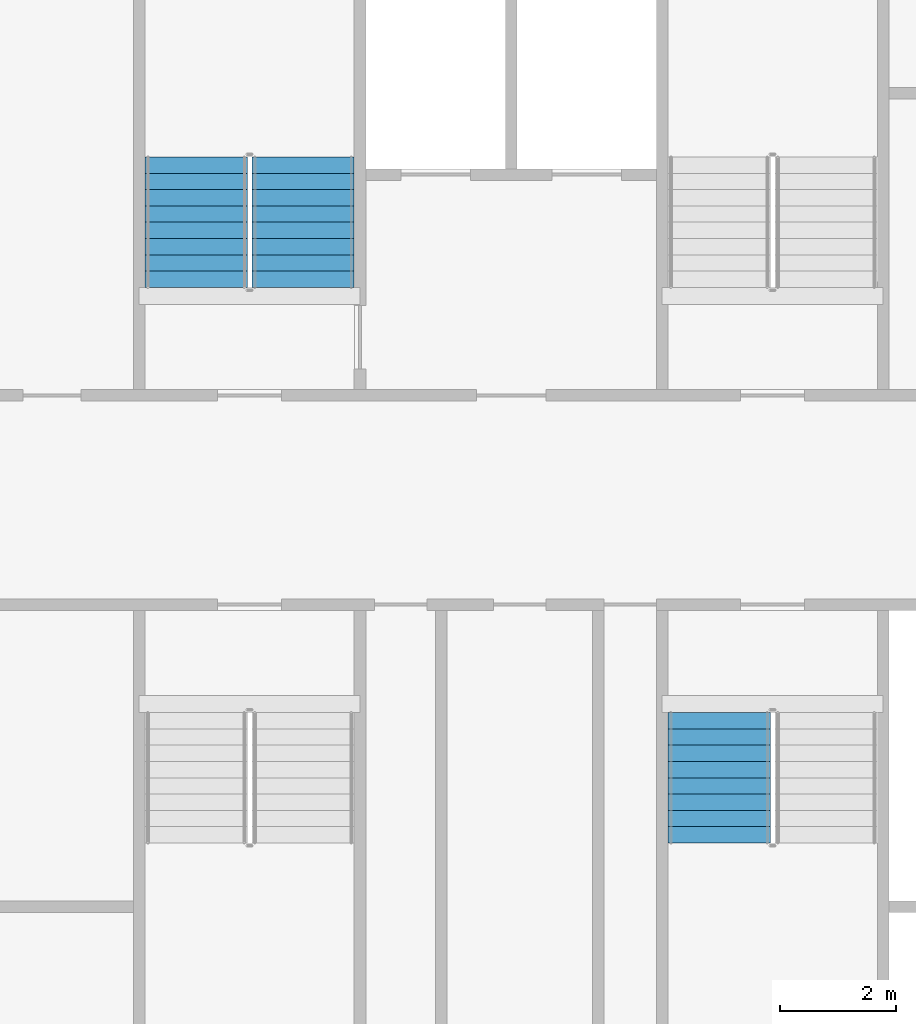
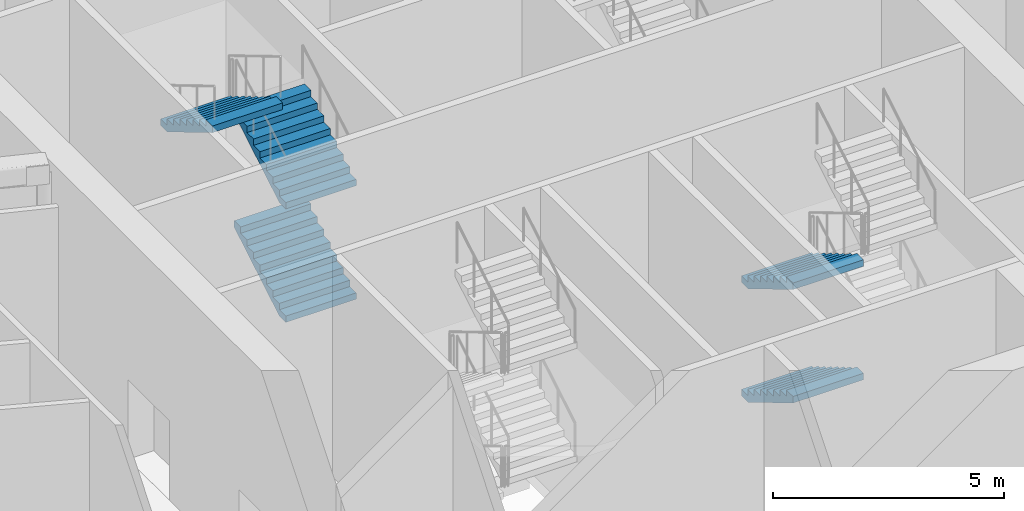
# One storey, part 28 of 36: 5 stair flights, 2 elements without a shape of their own.
"""IFC4 building model written with IfcOpenShell, lengths in metres."""

from ifc_helpers import new_model, si_unit, direction, frame, origin, place, context, subcontext, project, spatial, faceted_brep, material, type_object, element, aggregate, save


model = new_model("IFC4")

# Units and contexts
model_context = context("Model", 3, precision=1e-05, world=origin(), true_north=direction((0.0, 1.0)))
body_context = subcontext(model_context, "Body", "Model", "MODEL_VIEW")
ifc_project = project(units=[si_unit("LENGTHUNIT", "METRE"), si_unit("AREAUNIT", "SQUARE_METRE"), si_unit("VOLUMEUNIT", "CUBIC_METRE"), si_unit("PLANEANGLEUNIT", "RADIAN"), si_unit("MASSUNIT", "GRAM", prefix="KILO")], contexts=[model_context])

# Site, building, storey
site_placement = place(None, origin())
site = spatial("IfcSite", under=ifc_project, at=site_placement, CompositionType="ELEMENT")
building_placement = place(site_placement, origin())
building = spatial("IfcBuilding", under=site, at=building_placement, Name="Tarsis Ring Headquarters", CompositionType="ELEMENT")
storey_placement = place(building_placement, frame((0.0, 0.0, 194.39990234375)))
storey = spatial("IfcBuildingStorey", under=building, at=storey_placement, Name="L45", CompositionType="ELEMENT", Elevation=194.39990234375)

# Stair, stair flights
ifc_material_1 = material(Name="Core stair 1760")
stair_type = type_object("IfcStairType", Name="Core stair 1760", PredefinedType="HALF_TURN_STAIR", material=ifc_material_1)
stair_1_placement = place(storey_placement, origin())
stair_1 = element("IfcStair", 1, at=stair_1_placement, inside=storey, type_object=stair_type, Name="L45 Firefighting stair", PredefinedType="HALF_TURN_STAIR")
ifc_material_2 = material(Name="Concrete C40/50", Category="concrete")
stair_flight_type = type_object("IfcStairFlightType", Name="Core stair flight 1760", PredefinedType="STRAIGHT", material=ifc_material_2)
stair_flight_1_placement = place(storey_placement, frame((-3.580078125, 3.659912109375, 0.0), z_axis=(0.0, 0.0, 1.0), x_axis=(0.0, 1.0, 0.0)))
stair_flight_1 = element("IfcStairFlight", 2, at=stair_flight_1_placement, type_object=stair_flight_type, Name="Stair ST1 flight 1", NumberOfRisers=9, NumberOfTreads=8, PredefinedType="STRAIGHT", RiserHeight=0.166666667, TreadLength=0.28, context=body_context, shape_type="Brep", body=[
    faceted_brep([(0.0, 0.8798828125, 0.0), (0.0, 0.8798828125, 0.166748046875), (0.280029296875, 0.8798828125, 0.166748046875), (0.280029296875, 0.8798828125, 0.333251953125), (0.56005859375, 0.8798828125, 0.333251953125), (0.56005859375, 0.8798828125, 0.5), (0.840087890625, 0.8798828125, 0.5), (0.840087890625, 0.8798828125, 0.666748046875), (1.1201171875, 0.8798828125, 0.666748046875), (1.1201171875, 0.8798828125, 0.833251953125), (1.39990234375, 0.8798828125, 0.833251953125), (1.39990234375, 0.8798828125, 1.0), (1.679931640625, 0.8798828125, 1.0), (1.679931640625, 0.8798828125, 1.166748046875), (1.9599609375, 0.8798828125, 1.166748046875), (1.9599609375, 0.8798828125, 1.333251953125), (2.239990234375, 0.8798828125, 1.333251953125), (2.239990234375, 0.8798828125, 1.158935546875), (0.29296875, 0.8798828125, 0.0), (0.29296875, -0.8798828125, 0.0), (2.239990234375, -0.8798828125, 1.158935546875), (2.239990234375, -0.8798828125, 1.333251953125), (1.9599609375, -0.8798828125, 1.333251953125), (1.9599609375, -0.8798828125, 1.166748046875), (1.679931640625, -0.8798828125, 1.166748046875), (1.679931640625, -0.8798828125, 1.0), (1.39990234375, -0.8798828125, 1.0), (1.39990234375, -0.8798828125, 0.833251953125), (1.1201171875, -0.8798828125, 0.833251953125), (1.1201171875, -0.8798828125, 0.666748046875), (0.840087890625, -0.8798828125, 0.666748046875), (0.840087890625, -0.8798828125, 0.5), (0.56005859375, -0.8798828125, 0.5), (0.56005859375, -0.8798828125, 0.333251953125), (0.280029296875, -0.8798828125, 0.333251953125), (0.280029296875, -0.8798828125, 0.166748046875), (0.0, -0.8798828125, 0.166748046875), (0.0, -0.8798828125, 0.0), (0.0, -0.43994140625, 0.166748046875), (0.0, -0.43994140625, 0.0), (0.0, 0.0, 0.166748046875), (0.0, 0.0, 0.0), (0.0, 0.43994140625, 0.166748046875), (0.0, 0.43994140625, 0.0), (0.280029296875, -0.43994140625, 0.166748046875), (0.280029296875, 0.0, 0.166748046875), (0.280029296875, 0.43994140625, 0.166748046875), (0.280029296875, -0.43994140625, 0.333251953125), (0.280029296875, 0.0, 0.333251953125), (0.280029296875, 0.43994140625, 0.333251953125), (0.56005859375, -0.43994140625, 0.333251953125), (0.56005859375, 0.0, 0.333251953125), (0.56005859375, 0.43994140625, 0.333251953125), (0.56005859375, -0.43994140625, 0.5), (0.56005859375, 0.0, 0.5), (0.56005859375, 0.43994140625, 0.5), (0.840087890625, -0.43994140625, 0.5), (0.840087890625, 0.0, 0.5), (0.840087890625, 0.43994140625, 0.5), (0.840087890625, -0.43994140625, 0.666748046875), (0.840087890625, 0.0, 0.666748046875), (0.840087890625, 0.43994140625, 0.666748046875), (1.1201171875, -0.43994140625, 0.666748046875), (1.1201171875, 0.0, 0.666748046875), (1.1201171875, 0.43994140625, 0.666748046875), (1.1201171875, -0.43994140625, 0.833251953125), (1.1201171875, 0.0, 0.833251953125), (1.1201171875, 0.43994140625, 0.833251953125), (1.39990234375, -0.43994140625, 0.833251953125), (1.39990234375, 0.0, 0.833251953125), (1.39990234375, 0.43994140625, 0.833251953125), (1.39990234375, -0.43994140625, 1.0), (1.39990234375, 0.0, 1.0), (1.39990234375, 0.43994140625, 1.0), (1.679931640625, -0.43994140625, 1.0), (1.679931640625, 0.0, 1.0), (1.679931640625, 0.43994140625, 1.0), (1.679931640625, -0.43994140625, 1.166748046875), (1.679931640625, 0.0, 1.166748046875), (1.679931640625, 0.43994140625, 1.166748046875), (1.9599609375, -0.43994140625, 1.166748046875), (1.9599609375, 0.0, 1.166748046875), (1.9599609375, 0.43994140625, 1.166748046875), (1.9599609375, -0.43994140625, 1.333251953125), (1.9599609375, 0.0, 1.333251953125), (1.9599609375, 0.43994140625, 1.333251953125), (2.239990234375, -0.43994140625, 1.333251953125), (2.239990234375, 0.0, 1.333251953125), (2.239990234375, 0.43994140625, 1.333251953125), (2.239990234375, -0.43994140625, 1.158935546875), (2.239990234375, 0.0, 1.158935546875), (2.239990234375, 0.43994140625, 1.158935546875), (0.29296875, -0.43994140625, 0.0), (0.29296875, 0.0, 0.0), (0.29296875, 0.43994140625, 0.0)], [[[0, 1, 2, 3, 4, 5, 6, 7, 8, 9, 10, 11, 12, 13, 14, 15, 16, 17, 18]], [[19, 20, 21, 22, 23, 24, 25, 26, 27, 28, 29, 30, 31, 32, 33, 34, 35, 36, 37]], [[37, 36, 38, 39]], [[39, 38, 40, 41]], [[41, 40, 42, 43]], [[43, 42, 1, 0]], [[36, 35, 44, 38]], [[38, 44, 45, 40]], [[40, 45, 46, 42]], [[42, 46, 2, 1]], [[35, 34, 47, 44]], [[44, 47, 48, 45]], [[45, 48, 49, 46]], [[46, 49, 3, 2]], [[34, 33, 50, 47]], [[47, 50, 51, 48]], [[48, 51, 52, 49]], [[49, 52, 4, 3]], [[33, 32, 53, 50]], [[50, 53, 54, 51]], [[51, 54, 55, 52]], [[52, 55, 5, 4]], [[32, 31, 56, 53]], [[53, 56, 57, 54]], [[54, 57, 58, 55]], [[55, 58, 6, 5]], [[31, 30, 59, 56]], [[56, 59, 60, 57]], [[57, 60, 61, 58]], [[58, 61, 7, 6]], [[30, 29, 62, 59]], [[59, 62, 63, 60]], [[60, 63, 64, 61]], [[61, 64, 8, 7]], [[29, 28, 65, 62]], [[62, 65, 66, 63]], [[63, 66, 67, 64]], [[64, 67, 9, 8]], [[28, 27, 68, 65]], [[65, 68, 69, 66]], [[66, 69, 70, 67]], [[67, 70, 10, 9]], [[27, 26, 71, 68]], [[68, 71, 72, 69]], [[69, 72, 73, 70]], [[70, 73, 11, 10]], [[26, 25, 74, 71]], [[71, 74, 75, 72]], [[72, 75, 76, 73]], [[73, 76, 12, 11]], [[25, 24, 77, 74]], [[74, 77, 78, 75]], [[75, 78, 79, 76]], [[76, 79, 13, 12]], [[24, 23, 80, 77]], [[77, 80, 81, 78]], [[78, 81, 82, 79]], [[79, 82, 14, 13]], [[23, 22, 83, 80]], [[80, 83, 84, 81]], [[81, 84, 85, 82]], [[82, 85, 15, 14]], [[22, 21, 86, 83]], [[83, 86, 87, 84]], [[84, 87, 88, 85]], [[85, 88, 16, 15]], [[21, 20, 89, 86]], [[86, 89, 90, 87]], [[87, 90, 91, 88]], [[88, 91, 17, 16]], [[20, 19, 92, 89]], [[89, 92, 93, 90]], [[90, 93, 94, 91]], [[91, 94, 18, 17]], [[19, 37, 39, 92]], [[92, 39, 41, 93]], [[93, 41, 43, 94]], [[94, 43, 0, 18]]]),
])
stair_flight_2_placement = place(storey_placement, frame((-3.580078125, 3.659912109375, 3.0), z_axis=(0.0, 0.0, 1.0), x_axis=(0.0, 1.0, 0.0)))
stair_flight_2 = element("IfcStairFlight", 3, at=stair_flight_2_placement, type_object=stair_flight_type, Name="Stair ST1 flight 3", NumberOfRisers=9, NumberOfTreads=8, PredefinedType="STRAIGHT", RiserHeight=0.166666667, TreadLength=0.28, context=body_context, shape_type="Brep", body=[
    faceted_brep([(0.0, 0.8798828125, 0.0), (0.0, 0.8798828125, 0.166748046875), (0.280029296875, 0.8798828125, 0.166748046875), (0.280029296875, 0.8798828125, 0.333251953125), (0.56005859375, 0.8798828125, 0.333251953125), (0.56005859375, 0.8798828125, 0.5), (0.840087890625, 0.8798828125, 0.5), (0.840087890625, 0.8798828125, 0.666748046875), (1.1201171875, 0.8798828125, 0.666748046875), (1.1201171875, 0.8798828125, 0.833251953125), (1.39990234375, 0.8798828125, 0.833251953125), (1.39990234375, 0.8798828125, 1.0), (1.679931640625, 0.8798828125, 1.0), (1.679931640625, 0.8798828125, 1.166748046875), (1.9599609375, 0.8798828125, 1.166748046875), (1.9599609375, 0.8798828125, 1.333251953125), (2.239990234375, 0.8798828125, 1.333251953125), (2.239990234375, 0.8798828125, 1.158935546875), (0.29296875, 0.8798828125, 0.0), (0.29296875, -0.8798828125, 0.0), (2.239990234375, -0.8798828125, 1.158935546875), (2.239990234375, -0.8798828125, 1.333251953125), (1.9599609375, -0.8798828125, 1.333251953125), (1.9599609375, -0.8798828125, 1.166748046875), (1.679931640625, -0.8798828125, 1.166748046875), (1.679931640625, -0.8798828125, 1.0), (1.39990234375, -0.8798828125, 1.0), (1.39990234375, -0.8798828125, 0.833251953125), (1.1201171875, -0.8798828125, 0.833251953125), (1.1201171875, -0.8798828125, 0.666748046875), (0.840087890625, -0.8798828125, 0.666748046875), (0.840087890625, -0.8798828125, 0.5), (0.56005859375, -0.8798828125, 0.5), (0.56005859375, -0.8798828125, 0.333251953125), (0.280029296875, -0.8798828125, 0.333251953125), (0.280029296875, -0.8798828125, 0.166748046875), (0.0, -0.8798828125, 0.166748046875), (0.0, -0.8798828125, 0.0), (0.0, -0.43994140625, 0.166748046875), (0.0, -0.43994140625, 0.0), (0.0, 0.0, 0.166748046875), (0.0, 0.0, 0.0), (0.0, 0.43994140625, 0.166748046875), (0.0, 0.43994140625, 0.0), (0.280029296875, -0.43994140625, 0.166748046875), (0.280029296875, 0.0, 0.166748046875), (0.280029296875, 0.43994140625, 0.166748046875), (0.280029296875, -0.43994140625, 0.333251953125), (0.280029296875, 0.0, 0.333251953125), (0.280029296875, 0.43994140625, 0.333251953125), (0.56005859375, -0.43994140625, 0.333251953125), (0.56005859375, 0.0, 0.333251953125), (0.56005859375, 0.43994140625, 0.333251953125), (0.56005859375, -0.43994140625, 0.5), (0.56005859375, 0.0, 0.5), (0.56005859375, 0.43994140625, 0.5), (0.840087890625, -0.43994140625, 0.5), (0.840087890625, 0.0, 0.5), (0.840087890625, 0.43994140625, 0.5), (0.840087890625, -0.43994140625, 0.666748046875), (0.840087890625, 0.0, 0.666748046875), (0.840087890625, 0.43994140625, 0.666748046875), (1.1201171875, -0.43994140625, 0.666748046875), (1.1201171875, 0.0, 0.666748046875), (1.1201171875, 0.43994140625, 0.666748046875), (1.1201171875, -0.43994140625, 0.833251953125), (1.1201171875, 0.0, 0.833251953125), (1.1201171875, 0.43994140625, 0.833251953125), (1.39990234375, -0.43994140625, 0.833251953125), (1.39990234375, 0.0, 0.833251953125), (1.39990234375, 0.43994140625, 0.833251953125), (1.39990234375, -0.43994140625, 1.0), (1.39990234375, 0.0, 1.0), (1.39990234375, 0.43994140625, 1.0), (1.679931640625, -0.43994140625, 1.0), (1.679931640625, 0.0, 1.0), (1.679931640625, 0.43994140625, 1.0), (1.679931640625, -0.43994140625, 1.166748046875), (1.679931640625, 0.0, 1.166748046875), (1.679931640625, 0.43994140625, 1.166748046875), (1.9599609375, -0.43994140625, 1.166748046875), (1.9599609375, 0.0, 1.166748046875), (1.9599609375, 0.43994140625, 1.166748046875), (1.9599609375, -0.43994140625, 1.333251953125), (1.9599609375, 0.0, 1.333251953125), (1.9599609375, 0.43994140625, 1.333251953125), (2.239990234375, -0.43994140625, 1.333251953125), (2.239990234375, 0.0, 1.333251953125), (2.239990234375, 0.43994140625, 1.333251953125), (2.239990234375, -0.43994140625, 1.158935546875), (2.239990234375, 0.0, 1.158935546875), (2.239990234375, 0.43994140625, 1.158935546875), (0.29296875, -0.43994140625, 0.0), (0.29296875, 0.0, 0.0), (0.29296875, 0.43994140625, 0.0)], [[[0, 1, 2, 3, 4, 5, 6, 7, 8, 9, 10, 11, 12, 13, 14, 15, 16, 17, 18]], [[19, 20, 21, 22, 23, 24, 25, 26, 27, 28, 29, 30, 31, 32, 33, 34, 35, 36, 37]], [[37, 36, 38, 39]], [[39, 38, 40, 41]], [[41, 40, 42, 43]], [[43, 42, 1, 0]], [[36, 35, 44, 38]], [[38, 44, 45, 40]], [[40, 45, 46, 42]], [[42, 46, 2, 1]], [[35, 34, 47, 44]], [[44, 47, 48, 45]], [[45, 48, 49, 46]], [[46, 49, 3, 2]], [[34, 33, 50, 47]], [[47, 50, 51, 48]], [[48, 51, 52, 49]], [[49, 52, 4, 3]], [[33, 32, 53, 50]], [[50, 53, 54, 51]], [[51, 54, 55, 52]], [[52, 55, 5, 4]], [[32, 31, 56, 53]], [[53, 56, 57, 54]], [[54, 57, 58, 55]], [[55, 58, 6, 5]], [[31, 30, 59, 56]], [[56, 59, 60, 57]], [[57, 60, 61, 58]], [[58, 61, 7, 6]], [[30, 29, 62, 59]], [[59, 62, 63, 60]], [[60, 63, 64, 61]], [[61, 64, 8, 7]], [[29, 28, 65, 62]], [[62, 65, 66, 63]], [[63, 66, 67, 64]], [[64, 67, 9, 8]], [[28, 27, 68, 65]], [[65, 68, 69, 66]], [[66, 69, 70, 67]], [[67, 70, 10, 9]], [[27, 26, 71, 68]], [[68, 71, 72, 69]], [[69, 72, 73, 70]], [[70, 73, 11, 10]], [[26, 25, 74, 71]], [[71, 74, 75, 72]], [[72, 75, 76, 73]], [[73, 76, 12, 11]], [[25, 24, 77, 74]], [[74, 77, 78, 75]], [[75, 78, 79, 76]], [[76, 79, 13, 12]], [[24, 23, 80, 77]], [[77, 80, 81, 78]], [[78, 81, 82, 79]], [[79, 82, 14, 13]], [[23, 22, 83, 80]], [[80, 83, 84, 81]], [[81, 84, 85, 82]], [[82, 85, 15, 14]], [[22, 21, 86, 83]], [[83, 86, 87, 84]], [[84, 87, 88, 85]], [[85, 88, 16, 15]], [[21, 20, 89, 86]], [[86, 89, 90, 87]], [[87, 90, 91, 88]], [[88, 91, 17, 16]], [[20, 19, 92, 89]], [[89, 92, 93, 90]], [[90, 93, 94, 91]], [[91, 94, 18, 17]], [[19, 37, 39, 92]], [[92, 39, 41, 93]], [[93, 41, 43, 94]], [[94, 43, 0, 18]]]),
])
stair_flight_3_placement = place(storey_placement, frame((-5.419921875, 5.89990234375, 4.5), z_axis=(0.0, 0.0, 1.0), x_axis=(0.0, -1.0, 0.0)))
stair_flight_3 = element("IfcStairFlight", 4, at=stair_flight_3_placement, type_object=stair_flight_type, Name="Stair ST1 flight 4", NumberOfRisers=9, NumberOfTreads=8, PredefinedType="STRAIGHT", RiserHeight=0.166666667, TreadLength=0.28, context=body_context, shape_type="Brep", body=[
    faceted_brep([(0.0, 0.8798828125, 0.0), (0.0, 0.8798828125, 0.166748046875), (0.280029296875, 0.8798828125, 0.166748046875), (0.280029296875, 0.8798828125, 0.333251953125), (0.56005859375, 0.8798828125, 0.333251953125), (0.56005859375, 0.8798828125, 0.5), (0.840087890625, 0.8798828125, 0.5), (0.840087890625, 0.8798828125, 0.666748046875), (1.1201171875, 0.8798828125, 0.666748046875), (1.1201171875, 0.8798828125, 0.833251953125), (1.39990234375, 0.8798828125, 0.833251953125), (1.39990234375, 0.8798828125, 1.0), (1.679931640625, 0.8798828125, 1.0), (1.679931640625, 0.8798828125, 1.166748046875), (1.9599609375, 0.8798828125, 1.166748046875), (1.9599609375, 0.8798828125, 1.333251953125), (2.239990234375, 0.8798828125, 1.333251953125), (2.239990234375, 0.8798828125, 1.158935546875), (0.29296875, 0.8798828125, 0.0), (0.29296875, -0.8798828125, 0.0), (2.239990234375, -0.8798828125, 1.158935546875), (2.239990234375, -0.8798828125, 1.333251953125), (1.9599609375, -0.8798828125, 1.333251953125), (1.9599609375, -0.8798828125, 1.166748046875), (1.679931640625, -0.8798828125, 1.166748046875), (1.679931640625, -0.8798828125, 1.0), (1.39990234375, -0.8798828125, 1.0), (1.39990234375, -0.8798828125, 0.833251953125), (1.1201171875, -0.8798828125, 0.833251953125), (1.1201171875, -0.8798828125, 0.666748046875), (0.840087890625, -0.8798828125, 0.666748046875), (0.840087890625, -0.8798828125, 0.5), (0.56005859375, -0.8798828125, 0.5), (0.56005859375, -0.8798828125, 0.333251953125), (0.280029296875, -0.8798828125, 0.333251953125), (0.280029296875, -0.8798828125, 0.166748046875), (0.0, -0.8798828125, 0.166748046875), (0.0, -0.8798828125, 0.0), (0.0, -0.43994140625, 0.166748046875), (0.0, -0.43994140625, 0.0), (0.0, 0.0, 0.166748046875), (0.0, 0.0, 0.0), (0.0, 0.43994140625, 0.166748046875), (0.0, 0.43994140625, 0.0), (0.280029296875, -0.43994140625, 0.166748046875), (0.280029296875, 0.0, 0.166748046875), (0.280029296875, 0.43994140625, 0.166748046875), (0.280029296875, -0.43994140625, 0.333251953125), (0.280029296875, 0.0, 0.333251953125), (0.280029296875, 0.43994140625, 0.333251953125), (0.56005859375, -0.43994140625, 0.333251953125), (0.56005859375, 0.0, 0.333251953125), (0.56005859375, 0.43994140625, 0.333251953125), (0.56005859375, -0.43994140625, 0.5), (0.56005859375, 0.0, 0.5), (0.56005859375, 0.43994140625, 0.5), (0.840087890625, -0.43994140625, 0.5), (0.840087890625, 0.0, 0.5), (0.840087890625, 0.43994140625, 0.5), (0.840087890625, -0.43994140625, 0.666748046875), (0.840087890625, 0.0, 0.666748046875), (0.840087890625, 0.43994140625, 0.666748046875), (1.1201171875, -0.43994140625, 0.666748046875), (1.1201171875, 0.0, 0.666748046875), (1.1201171875, 0.43994140625, 0.666748046875), (1.1201171875, -0.43994140625, 0.833251953125), (1.1201171875, 0.0, 0.833251953125), (1.1201171875, 0.43994140625, 0.833251953125), (1.39990234375, -0.43994140625, 0.833251953125), (1.39990234375, 0.0, 0.833251953125), (1.39990234375, 0.43994140625, 0.833251953125), (1.39990234375, -0.43994140625, 1.0), (1.39990234375, 0.0, 1.0), (1.39990234375, 0.43994140625, 1.0), (1.679931640625, -0.43994140625, 1.0), (1.679931640625, 0.0, 1.0), (1.679931640625, 0.43994140625, 1.0), (1.679931640625, -0.43994140625, 1.166748046875), (1.679931640625, 0.0, 1.166748046875), (1.679931640625, 0.43994140625, 1.166748046875), (1.9599609375, -0.43994140625, 1.166748046875), (1.9599609375, 0.0, 1.166748046875), (1.9599609375, 0.43994140625, 1.166748046875), (1.9599609375, -0.43994140625, 1.333251953125), (1.9599609375, 0.0, 1.333251953125), (1.9599609375, 0.43994140625, 1.333251953125), (2.239990234375, -0.43994140625, 1.333251953125), (2.239990234375, 0.0, 1.333251953125), (2.239990234375, 0.43994140625, 1.333251953125), (2.239990234375, -0.43994140625, 1.158935546875), (2.239990234375, 0.0, 1.158935546875), (2.239990234375, 0.43994140625, 1.158935546875), (0.29296875, -0.43994140625, 0.0), (0.29296875, 0.0, 0.0), (0.29296875, 0.43994140625, 0.0)], [[[0, 1, 2, 3, 4, 5, 6, 7, 8, 9, 10, 11, 12, 13, 14, 15, 16, 17, 18]], [[19, 20, 21, 22, 23, 24, 25, 26, 27, 28, 29, 30, 31, 32, 33, 34, 35, 36, 37]], [[37, 36, 38, 39]], [[39, 38, 40, 41]], [[41, 40, 42, 43]], [[43, 42, 1, 0]], [[36, 35, 44, 38]], [[38, 44, 45, 40]], [[40, 45, 46, 42]], [[42, 46, 2, 1]], [[35, 34, 47, 44]], [[44, 47, 48, 45]], [[45, 48, 49, 46]], [[46, 49, 3, 2]], [[34, 33, 50, 47]], [[47, 50, 51, 48]], [[48, 51, 52, 49]], [[49, 52, 4, 3]], [[33, 32, 53, 50]], [[50, 53, 54, 51]], [[51, 54, 55, 52]], [[52, 55, 5, 4]], [[32, 31, 56, 53]], [[53, 56, 57, 54]], [[54, 57, 58, 55]], [[55, 58, 6, 5]], [[31, 30, 59, 56]], [[56, 59, 60, 57]], [[57, 60, 61, 58]], [[58, 61, 7, 6]], [[30, 29, 62, 59]], [[59, 62, 63, 60]], [[60, 63, 64, 61]], [[61, 64, 8, 7]], [[29, 28, 65, 62]], [[62, 65, 66, 63]], [[63, 66, 67, 64]], [[64, 67, 9, 8]], [[28, 27, 68, 65]], [[65, 68, 69, 66]], [[66, 69, 70, 67]], [[67, 70, 10, 9]], [[27, 26, 71, 68]], [[68, 71, 72, 69]], [[69, 72, 73, 70]], [[70, 73, 11, 10]], [[26, 25, 74, 71]], [[71, 74, 75, 72]], [[72, 75, 76, 73]], [[73, 76, 12, 11]], [[25, 24, 77, 74]], [[74, 77, 78, 75]], [[75, 78, 79, 76]], [[76, 79, 13, 12]], [[24, 23, 80, 77]], [[77, 80, 81, 78]], [[78, 81, 82, 79]], [[79, 82, 14, 13]], [[23, 22, 83, 80]], [[80, 83, 84, 81]], [[81, 84, 85, 82]], [[82, 85, 15, 14]], [[22, 21, 86, 83]], [[83, 86, 87, 84]], [[84, 87, 88, 85]], [[85, 88, 16, 15]], [[21, 20, 89, 86]], [[86, 89, 90, 87]], [[87, 90, 91, 88]], [[88, 91, 17, 16]], [[20, 19, 92, 89]], [[89, 92, 93, 90]], [[90, 93, 94, 91]], [[91, 94, 18, 17]], [[19, 37, 39, 92]], [[92, 39, 41, 93]], [[93, 41, 43, 94]], [[94, 43, 0, 18]]]),
])
aggregate(stair_1, [stair_flight_1, stair_flight_2, stair_flight_3])

stair_2_placement = place(storey_placement, origin())
stair_2 = element("IfcStair", 5, at=stair_2_placement, inside=storey, type_object=stair_type, Name="L45 Exit stair D", PredefinedType="HALF_TURN_STAIR")
stair_flight_4_placement = place(storey_placement, frame((3.580078125, -3.659912109375, 0.0), z_axis=(0.0, 0.0, 1.0), x_axis=(0.0, -1.0, 0.0)))
stair_flight_4 = element("IfcStairFlight", 6, at=stair_flight_4_placement, type_object=stair_flight_type, Name="Stair ST4 flight 1", NumberOfRisers=9, NumberOfTreads=8, PredefinedType="STRAIGHT", RiserHeight=0.166666667, TreadLength=0.28, context=body_context, shape_type="Brep", body=[
    faceted_brep([(0.0, 0.8798828125, 0.0), (0.0, 0.8798828125, 0.166748046875), (0.280029296875, 0.8798828125, 0.166748046875), (0.280029296875, 0.8798828125, 0.333251953125), (0.56005859375, 0.8798828125, 0.333251953125), (0.56005859375, 0.8798828125, 0.5), (0.840087890625, 0.8798828125, 0.5), (0.840087890625, 0.8798828125, 0.666748046875), (1.1201171875, 0.8798828125, 0.666748046875), (1.1201171875, 0.8798828125, 0.833251953125), (1.39990234375, 0.8798828125, 0.833251953125), (1.39990234375, 0.8798828125, 1.0), (1.679931640625, 0.8798828125, 1.0), (1.679931640625, 0.8798828125, 1.166748046875), (1.9599609375, 0.8798828125, 1.166748046875), (1.9599609375, 0.8798828125, 1.333251953125), (2.239990234375, 0.8798828125, 1.333251953125), (2.239990234375, 0.8798828125, 1.158935546875), (0.29296875, 0.8798828125, 0.0), (0.29296875, -0.8798828125, 0.0), (2.239990234375, -0.8798828125, 1.158935546875), (2.239990234375, -0.8798828125, 1.333251953125), (1.9599609375, -0.8798828125, 1.333251953125), (1.9599609375, -0.8798828125, 1.166748046875), (1.679931640625, -0.8798828125, 1.166748046875), (1.679931640625, -0.8798828125, 1.0), (1.39990234375, -0.8798828125, 1.0), (1.39990234375, -0.8798828125, 0.833251953125), (1.1201171875, -0.8798828125, 0.833251953125), (1.1201171875, -0.8798828125, 0.666748046875), (0.840087890625, -0.8798828125, 0.666748046875), (0.840087890625, -0.8798828125, 0.5), (0.56005859375, -0.8798828125, 0.5), (0.56005859375, -0.8798828125, 0.333251953125), (0.280029296875, -0.8798828125, 0.333251953125), (0.280029296875, -0.8798828125, 0.166748046875), (0.0, -0.8798828125, 0.166748046875), (0.0, -0.8798828125, 0.0), (0.0, -0.43994140625, 0.166748046875), (0.0, -0.43994140625, 0.0), (0.0, 0.0, 0.166748046875), (0.0, 0.0, 0.0), (0.0, 0.43994140625, 0.166748046875), (0.0, 0.43994140625, 0.0), (0.280029296875, -0.43994140625, 0.166748046875), (0.280029296875, 0.0, 0.166748046875), (0.280029296875, 0.43994140625, 0.166748046875), (0.280029296875, -0.43994140625, 0.333251953125), (0.280029296875, 0.0, 0.333251953125), (0.280029296875, 0.43994140625, 0.333251953125), (0.56005859375, -0.43994140625, 0.333251953125), (0.56005859375, 0.0, 0.333251953125), (0.56005859375, 0.43994140625, 0.333251953125), (0.56005859375, -0.43994140625, 0.5), (0.56005859375, 0.0, 0.5), (0.56005859375, 0.43994140625, 0.5), (0.840087890625, -0.43994140625, 0.5), (0.840087890625, 0.0, 0.5), (0.840087890625, 0.43994140625, 0.5), (0.840087890625, -0.43994140625, 0.666748046875), (0.840087890625, 0.0, 0.666748046875), (0.840087890625, 0.43994140625, 0.666748046875), (1.1201171875, -0.43994140625, 0.666748046875), (1.1201171875, 0.0, 0.666748046875), (1.1201171875, 0.43994140625, 0.666748046875), (1.1201171875, -0.43994140625, 0.833251953125), (1.1201171875, 0.0, 0.833251953125), (1.1201171875, 0.43994140625, 0.833251953125), (1.39990234375, -0.43994140625, 0.833251953125), (1.39990234375, 0.0, 0.833251953125), (1.39990234375, 0.43994140625, 0.833251953125), (1.39990234375, -0.43994140625, 1.0), (1.39990234375, 0.0, 1.0), (1.39990234375, 0.43994140625, 1.0), (1.679931640625, -0.43994140625, 1.0), (1.679931640625, 0.0, 1.0), (1.679931640625, 0.43994140625, 1.0), (1.679931640625, -0.43994140625, 1.166748046875), (1.679931640625, 0.0, 1.166748046875), (1.679931640625, 0.43994140625, 1.166748046875), (1.9599609375, -0.43994140625, 1.166748046875), (1.9599609375, 0.0, 1.166748046875), (1.9599609375, 0.43994140625, 1.166748046875), (1.9599609375, -0.43994140625, 1.333251953125), (1.9599609375, 0.0, 1.333251953125), (1.9599609375, 0.43994140625, 1.333251953125), (2.239990234375, -0.43994140625, 1.333251953125), (2.239990234375, 0.0, 1.333251953125), (2.239990234375, 0.43994140625, 1.333251953125), (2.239990234375, -0.43994140625, 1.158935546875), (2.239990234375, 0.0, 1.158935546875), (2.239990234375, 0.43994140625, 1.158935546875), (0.29296875, -0.43994140625, 0.0), (0.29296875, 0.0, 0.0), (0.29296875, 0.43994140625, 0.0)], [[[0, 1, 2, 3, 4, 5, 6, 7, 8, 9, 10, 11, 12, 13, 14, 15, 16, 17, 18]], [[19, 20, 21, 22, 23, 24, 25, 26, 27, 28, 29, 30, 31, 32, 33, 34, 35, 36, 37]], [[37, 36, 38, 39]], [[39, 38, 40, 41]], [[41, 40, 42, 43]], [[43, 42, 1, 0]], [[36, 35, 44, 38]], [[38, 44, 45, 40]], [[40, 45, 46, 42]], [[42, 46, 2, 1]], [[35, 34, 47, 44]], [[44, 47, 48, 45]], [[45, 48, 49, 46]], [[46, 49, 3, 2]], [[34, 33, 50, 47]], [[47, 50, 51, 48]], [[48, 51, 52, 49]], [[49, 52, 4, 3]], [[33, 32, 53, 50]], [[50, 53, 54, 51]], [[51, 54, 55, 52]], [[52, 55, 5, 4]], [[32, 31, 56, 53]], [[53, 56, 57, 54]], [[54, 57, 58, 55]], [[55, 58, 6, 5]], [[31, 30, 59, 56]], [[56, 59, 60, 57]], [[57, 60, 61, 58]], [[58, 61, 7, 6]], [[30, 29, 62, 59]], [[59, 62, 63, 60]], [[60, 63, 64, 61]], [[61, 64, 8, 7]], [[29, 28, 65, 62]], [[62, 65, 66, 63]], [[63, 66, 67, 64]], [[64, 67, 9, 8]], [[28, 27, 68, 65]], [[65, 68, 69, 66]], [[66, 69, 70, 67]], [[67, 70, 10, 9]], [[27, 26, 71, 68]], [[68, 71, 72, 69]], [[69, 72, 73, 70]], [[70, 73, 11, 10]], [[26, 25, 74, 71]], [[71, 74, 75, 72]], [[72, 75, 76, 73]], [[73, 76, 12, 11]], [[25, 24, 77, 74]], [[74, 77, 78, 75]], [[75, 78, 79, 76]], [[76, 79, 13, 12]], [[24, 23, 80, 77]], [[77, 80, 81, 78]], [[78, 81, 82, 79]], [[79, 82, 14, 13]], [[23, 22, 83, 80]], [[80, 83, 84, 81]], [[81, 84, 85, 82]], [[82, 85, 15, 14]], [[22, 21, 86, 83]], [[83, 86, 87, 84]], [[84, 87, 88, 85]], [[85, 88, 16, 15]], [[21, 20, 89, 86]], [[86, 89, 90, 87]], [[87, 90, 91, 88]], [[88, 91, 17, 16]], [[20, 19, 92, 89]], [[89, 92, 93, 90]], [[90, 93, 94, 91]], [[91, 94, 18, 17]], [[19, 37, 39, 92]], [[92, 39, 41, 93]], [[93, 41, 43, 94]], [[94, 43, 0, 18]]]),
])
stair_flight_5_placement = place(storey_placement, frame((3.580078125, -3.659912109375, 3.0), z_axis=(0.0, 0.0, 1.0), x_axis=(0.0, -1.0, 0.0)))
stair_flight_5 = element("IfcStairFlight", 7, at=stair_flight_5_placement, type_object=stair_flight_type, Name="Stair ST4 flight 3", NumberOfRisers=9, NumberOfTreads=8, PredefinedType="STRAIGHT", RiserHeight=0.166666667, TreadLength=0.28, context=body_context, shape_type="Brep", body=[
    faceted_brep([(0.0, 0.8798828125, 0.0), (0.0, 0.8798828125, 0.166748046875), (0.280029296875, 0.8798828125, 0.166748046875), (0.280029296875, 0.8798828125, 0.333251953125), (0.56005859375, 0.8798828125, 0.333251953125), (0.56005859375, 0.8798828125, 0.5), (0.840087890625, 0.8798828125, 0.5), (0.840087890625, 0.8798828125, 0.666748046875), (1.1201171875, 0.8798828125, 0.666748046875), (1.1201171875, 0.8798828125, 0.833251953125), (1.39990234375, 0.8798828125, 0.833251953125), (1.39990234375, 0.8798828125, 1.0), (1.679931640625, 0.8798828125, 1.0), (1.679931640625, 0.8798828125, 1.166748046875), (1.9599609375, 0.8798828125, 1.166748046875), (1.9599609375, 0.8798828125, 1.333251953125), (2.239990234375, 0.8798828125, 1.333251953125), (2.239990234375, 0.8798828125, 1.158935546875), (0.29296875, 0.8798828125, 0.0), (0.29296875, -0.8798828125, 0.0), (2.239990234375, -0.8798828125, 1.158935546875), (2.239990234375, -0.8798828125, 1.333251953125), (1.9599609375, -0.8798828125, 1.333251953125), (1.9599609375, -0.8798828125, 1.166748046875), (1.679931640625, -0.8798828125, 1.166748046875), (1.679931640625, -0.8798828125, 1.0), (1.39990234375, -0.8798828125, 1.0), (1.39990234375, -0.8798828125, 0.833251953125), (1.1201171875, -0.8798828125, 0.833251953125), (1.1201171875, -0.8798828125, 0.666748046875), (0.840087890625, -0.8798828125, 0.666748046875), (0.840087890625, -0.8798828125, 0.5), (0.56005859375, -0.8798828125, 0.5), (0.56005859375, -0.8798828125, 0.333251953125), (0.280029296875, -0.8798828125, 0.333251953125), (0.280029296875, -0.8798828125, 0.166748046875), (0.0, -0.8798828125, 0.166748046875), (0.0, -0.8798828125, 0.0), (0.0, -0.43994140625, 0.166748046875), (0.0, -0.43994140625, 0.0), (0.0, 0.0, 0.166748046875), (0.0, 0.0, 0.0), (0.0, 0.43994140625, 0.166748046875), (0.0, 0.43994140625, 0.0), (0.280029296875, -0.43994140625, 0.166748046875), (0.280029296875, 0.0, 0.166748046875), (0.280029296875, 0.43994140625, 0.166748046875), (0.280029296875, -0.43994140625, 0.333251953125), (0.280029296875, 0.0, 0.333251953125), (0.280029296875, 0.43994140625, 0.333251953125), (0.56005859375, -0.43994140625, 0.333251953125), (0.56005859375, 0.0, 0.333251953125), (0.56005859375, 0.43994140625, 0.333251953125), (0.56005859375, -0.43994140625, 0.5), (0.56005859375, 0.0, 0.5), (0.56005859375, 0.43994140625, 0.5), (0.840087890625, -0.43994140625, 0.5), (0.840087890625, 0.0, 0.5), (0.840087890625, 0.43994140625, 0.5), (0.840087890625, -0.43994140625, 0.666748046875), (0.840087890625, 0.0, 0.666748046875), (0.840087890625, 0.43994140625, 0.666748046875), (1.1201171875, -0.43994140625, 0.666748046875), (1.1201171875, 0.0, 0.666748046875), (1.1201171875, 0.43994140625, 0.666748046875), (1.1201171875, -0.43994140625, 0.833251953125), (1.1201171875, 0.0, 0.833251953125), (1.1201171875, 0.43994140625, 0.833251953125), (1.39990234375, -0.43994140625, 0.833251953125), (1.39990234375, 0.0, 0.833251953125), (1.39990234375, 0.43994140625, 0.833251953125), (1.39990234375, -0.43994140625, 1.0), (1.39990234375, 0.0, 1.0), (1.39990234375, 0.43994140625, 1.0), (1.679931640625, -0.43994140625, 1.0), (1.679931640625, 0.0, 1.0), (1.679931640625, 0.43994140625, 1.0), (1.679931640625, -0.43994140625, 1.166748046875), (1.679931640625, 0.0, 1.166748046875), (1.679931640625, 0.43994140625, 1.166748046875), (1.9599609375, -0.43994140625, 1.166748046875), (1.9599609375, 0.0, 1.166748046875), (1.9599609375, 0.43994140625, 1.166748046875), (1.9599609375, -0.43994140625, 1.333251953125), (1.9599609375, 0.0, 1.333251953125), (1.9599609375, 0.43994140625, 1.333251953125), (2.239990234375, -0.43994140625, 1.333251953125), (2.239990234375, 0.0, 1.333251953125), (2.239990234375, 0.43994140625, 1.333251953125), (2.239990234375, -0.43994140625, 1.158935546875), (2.239990234375, 0.0, 1.158935546875), (2.239990234375, 0.43994140625, 1.158935546875), (0.29296875, -0.43994140625, 0.0), (0.29296875, 0.0, 0.0), (0.29296875, 0.43994140625, 0.0)], [[[0, 1, 2, 3, 4, 5, 6, 7, 8, 9, 10, 11, 12, 13, 14, 15, 16, 17, 18]], [[19, 20, 21, 22, 23, 24, 25, 26, 27, 28, 29, 30, 31, 32, 33, 34, 35, 36, 37]], [[37, 36, 38, 39]], [[39, 38, 40, 41]], [[41, 40, 42, 43]], [[43, 42, 1, 0]], [[36, 35, 44, 38]], [[38, 44, 45, 40]], [[40, 45, 46, 42]], [[42, 46, 2, 1]], [[35, 34, 47, 44]], [[44, 47, 48, 45]], [[45, 48, 49, 46]], [[46, 49, 3, 2]], [[34, 33, 50, 47]], [[47, 50, 51, 48]], [[48, 51, 52, 49]], [[49, 52, 4, 3]], [[33, 32, 53, 50]], [[50, 53, 54, 51]], [[51, 54, 55, 52]], [[52, 55, 5, 4]], [[32, 31, 56, 53]], [[53, 56, 57, 54]], [[54, 57, 58, 55]], [[55, 58, 6, 5]], [[31, 30, 59, 56]], [[56, 59, 60, 57]], [[57, 60, 61, 58]], [[58, 61, 7, 6]], [[30, 29, 62, 59]], [[59, 62, 63, 60]], [[60, 63, 64, 61]], [[61, 64, 8, 7]], [[29, 28, 65, 62]], [[62, 65, 66, 63]], [[63, 66, 67, 64]], [[64, 67, 9, 8]], [[28, 27, 68, 65]], [[65, 68, 69, 66]], [[66, 69, 70, 67]], [[67, 70, 10, 9]], [[27, 26, 71, 68]], [[68, 71, 72, 69]], [[69, 72, 73, 70]], [[70, 73, 11, 10]], [[26, 25, 74, 71]], [[71, 74, 75, 72]], [[72, 75, 76, 73]], [[73, 76, 12, 11]], [[25, 24, 77, 74]], [[74, 77, 78, 75]], [[75, 78, 79, 76]], [[76, 79, 13, 12]], [[24, 23, 80, 77]], [[77, 80, 81, 78]], [[78, 81, 82, 79]], [[79, 82, 14, 13]], [[23, 22, 83, 80]], [[80, 83, 84, 81]], [[81, 84, 85, 82]], [[82, 85, 15, 14]], [[22, 21, 86, 83]], [[83, 86, 87, 84]], [[84, 87, 88, 85]], [[85, 88, 16, 15]], [[21, 20, 89, 86]], [[86, 89, 90, 87]], [[87, 90, 91, 88]], [[88, 91, 17, 16]], [[20, 19, 92, 89]], [[89, 92, 93, 90]], [[90, 93, 94, 91]], [[91, 94, 18, 17]], [[19, 37, 39, 92]], [[92, 39, 41, 93]], [[93, 41, 43, 94]], [[94, 43, 0, 18]]]),
])
aggregate(stair_2, [stair_flight_4, stair_flight_5])

save(model, "model.ifc")
